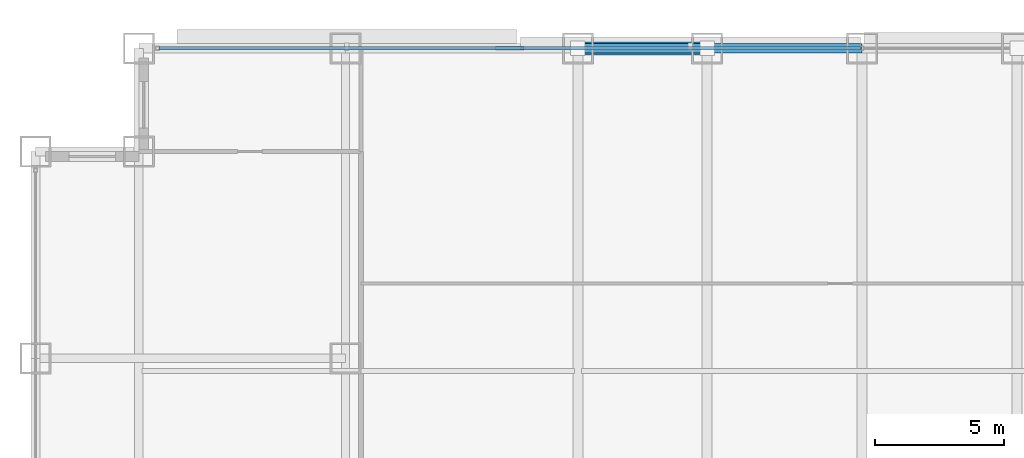
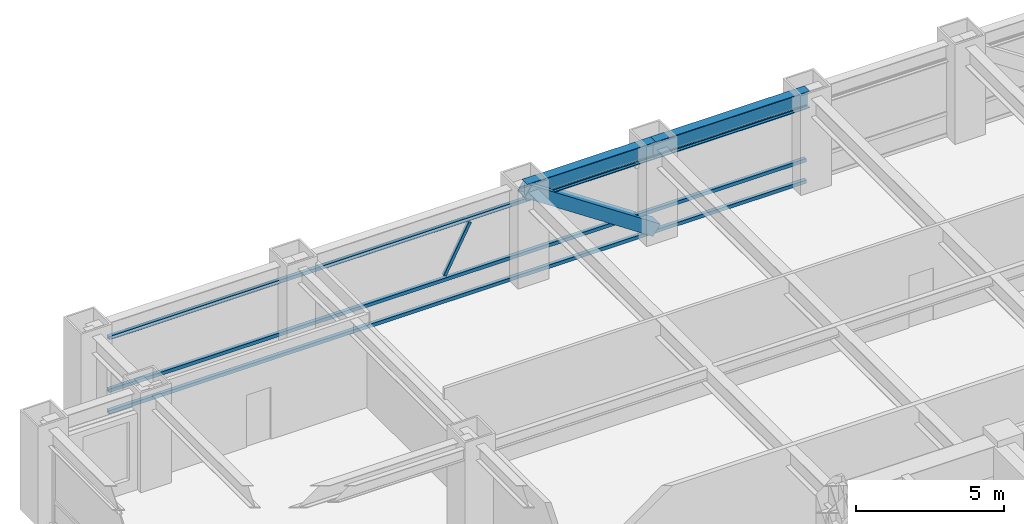
# One storey, part 18 of 32: 5 members, 2 beams, 1 element without a shape of its own.
"""IFC4 building model written with IfcOpenShell, lengths in metres."""

from ifc_helpers import new_model, si_unit, direction, frame, origin, origin_2d, place, context, subcontext, project, spatial, hollow_rectangle, i_section, extrude, source, transform, mapped, material, material_profile, profile_set, type_object, element, aggregate, save


model = new_model("IFC4")

# Units and contexts
model_context = context("Model", 3, precision=1e-05, world=origin(), true_north=direction((0.0, 1.0)))
body_context = subcontext(model_context, "Body", "Model", "MODEL_VIEW")
ifc_project = project(units=[si_unit("LENGTHUNIT", "METRE"), si_unit("AREAUNIT", "SQUARE_METRE"), si_unit("VOLUMEUNIT", "CUBIC_METRE"), si_unit("PLANEANGLEUNIT", "RADIAN"), si_unit("MASSUNIT", "GRAM", prefix="KILO")], contexts=[model_context])

# Site, building, storey
site_placement = place(None, origin())
site = spatial("IfcSite", under=ifc_project, at=site_placement, CompositionType="ELEMENT")
building_placement = place(site_placement, origin())
building = spatial("IfcBuilding", under=site, at=building_placement, Name="Khorayat Bourse Tower", CompositionType="ELEMENT")
storey_placement = place(building_placement, frame((0.0, 0.0, 91.39990234375)))
storey = spatial("IfcBuildingStorey", under=building, at=storey_placement, Name="L20", CompositionType="ELEMENT", Elevation=91.39990234375)

# Beams
ifc_material_1 = material(Name="Steel ASTM A992 Grade 50", Category="steel")
ifc_material_profile_1 = material_profile(ifc_material_1, i_section(OverallWidth=0.35498046875, OverallDepth=0.695068359375, WebThickness=0.015380859375, FlangeThickness=0.02490234375, FilletRadius=0.01806640625, at=origin_2d()), Name="W690X217")
ifc_profile_set_1 = profile_set([ifc_material_profile_1], Name="Steel ASTM A992 Grade 50")
beam_type = type_object("IfcBeamType", Name="BM-SPAN-690", PredefinedType="SPANDREL", material=ifc_profile_set_1)
shared_shape_1 = source(origin(), body_context, "Body", "SweptSolid", [
    extrude(i_section(OverallWidth=0.35498046875, OverallDepth=0.695068359375, WebThickness=0.015380859375, FlangeThickness=0.02490234375, FilletRadius=0.01806640625, at=origin_2d()), origin(), (0.0, 0.0, 1.0), 5.0),
])
beam_1_placement = place(storey_placement, frame((-11.0, 32.0, 3.49267578125), z_axis=(1.0, 0.0, 0.0), x_axis=(0.0, 1.0, 0.0)))
element("IfcBeam", 1, at=beam_1_placement, inside=storey, type_object=beam_type, Name="L20 BM-SPAN-690 BM-L20-SPN-049", PredefinedType="SPANDREL", context=body_context, shape_type="MappedRepresentation", body=[
    mapped(shared_shape_1, transform((0.0, 0.0, 0.0), scale=1.0)),
])
shared_shape_2 = source(origin(), body_context, "Body", "SweptSolid", [
    extrude(i_section(OverallWidth=0.35498046875, OverallDepth=0.695068359375, WebThickness=0.015380859375, FlangeThickness=0.02490234375, FilletRadius=0.01806640625, at=origin_2d()), origin(), (0.0, 0.0, 1.0), 6.0),
])
beam_2_placement = place(storey_placement, frame((-6.0, 32.0, 3.49267578125), z_axis=(1.0, 0.0, 0.0), x_axis=(0.0, 1.0, 0.0)))
element("IfcBeam", 2, at=beam_2_placement, inside=storey, type_object=beam_type, Name="L20 BM-SPAN-690 BM-L20-SPN-048", PredefinedType="SPANDREL", context=body_context, shape_type="MappedRepresentation", body=[
    mapped(shared_shape_2, transform((0.0, 0.0, 0.0), scale=1.0)),
])

# Member
ifc_material_2 = material(Name="Steel EN 10025-4 S460M", Category="steel")
ifc_material_profile_2 = material_profile(ifc_material_2, hollow_rectangle(XDim=0.5, YDim=0.5, WallThickness=0.028076171875, at=origin_2d()), Name="HSS 500x500x28")
ifc_profile_set_2 = profile_set([ifc_material_profile_2], Name="Steel EN 10025-4 S460M")
member_type_1 = type_object("IfcMemberType", Name="MBR-TUBE-500", PredefinedType="BRACE", material=ifc_profile_set_2)
shared_shape_3 = source(origin(), body_context, "Body", "SweptSolid", [
    extrude(hollow_rectangle(XDim=0.5, YDim=0.5, WallThickness=0.028076171875, at=origin_2d()), origin(), (0.0, 0.0, 1.0), 6.012939453125),
])
member_1_placement = place(storey_placement, frame((-11.0, 32.0, 3.590087890625), z_axis=(0.831531473026, 0.0, -0.555477640745), x_axis=(0.0, 1.0, 0.0)))
element("IfcMember", 3, at=member_1_placement, inside=storey, type_object=member_type_1, Name="L20 Perimeter Tube Brace 03", PredefinedType="BRACE", context=body_context, shape_type="MappedRepresentation", body=[
    mapped(shared_shape_3, transform((0.0, 0.0, 0.0), scale=1.0)),
])

# Curtain wall, members
ifc_material_3 = material(Name="Aluminium EN AW-6063 T6", Category="aluminium")
curtain_wall_type = type_object("IfcCurtainWallType", Name="CW-SYS-02", PredefinedType="NOTDEFINED", material=ifc_material_3)
curtain_wall_placement = place(storey_placement, origin())
curtain_wall = element("IfcCurtainWall", 4, at=curtain_wall_placement, inside=storey, type_object=curtain_wall_type, Name="L20 Curtain Wall CW-L20-N1", PredefinedType="NOTDEFINED")
ifc_material_profile_3 = material_profile(ifc_material_3, hollow_rectangle(XDim=0.139892578125, YDim=0.139892578125, WallThickness=0.006103515625, at=origin_2d()), Name="ALU 140x140x6")
ifc_profile_set_3 = profile_set([ifc_material_profile_3], Name="Aluminium EN AW-6063 T6")
member_type_2 = type_object("IfcMemberType", Name="CWT-HORZ-140", PredefinedType="USERDEFINED", material=ifc_profile_set_3)
shared_shape_4 = source(origin(), body_context, "Body", "SweptSolid", [
    extrude(hollow_rectangle(XDim=0.139892578125, YDim=0.139892578125, WallThickness=0.006103515625, at=origin_2d()), origin(), (0.0, 0.0, 1.0), 27.139892578125),
])
member_2_placement = place(storey_placement, frame((-27.2099609375, 32.0, 0.070068359375), z_axis=(1.0, 0.0, 0.0), x_axis=(0.0, 1.0, 0.0)))
member_2 = element("IfcMember", 5, at=member_2_placement, type_object=member_type_2, Name="CW-L20-N1 Horizontal Transom 1-1", ObjectType="TRANSOM", PredefinedType="USERDEFINED", context=body_context, shape_type="MappedRepresentation", body=[
    mapped(shared_shape_4, transform((0.0, 0.0, 0.0), scale=1.0)),
])
member_3_placement = place(storey_placement, frame((-27.2099609375, 32.0, 0.9501953125), z_axis=(1.0, 0.0, 0.0), x_axis=(0.0, 1.0, 0.0)))
member_3 = element("IfcMember", 6, at=member_3_placement, type_object=member_type_2, Name="CW-L20-N1 Horizontal Transom 1-2", ObjectType="TRANSOM", PredefinedType="USERDEFINED", context=body_context, shape_type="MappedRepresentation", body=[
    mapped(shared_shape_4, transform((0.0, 0.0, 0.0), scale=1.0)),
])
member_4_placement = place(storey_placement, frame((-27.2099609375, 32.0, 3.1201171875), z_axis=(1.0, 0.0, 0.0), x_axis=(0.0, 1.0, 0.0)))
member_4 = element("IfcMember", 7, at=member_4_placement, type_object=member_type_2, Name="CW-L20-N1 Horizontal Transom 1-3", ObjectType="TRANSOM", PredefinedType="USERDEFINED", context=body_context, shape_type="MappedRepresentation", body=[
    mapped(shared_shape_4, transform((0.0, 0.0, 0.0), scale=1.0)),
])
ifc_material_profile_4 = material_profile(ifc_material_3, hollow_rectangle(XDim=0.1201171875, YDim=0.1201171875, WallThickness=0.0048828125, at=origin_2d()), Name="ALU 120x120x5")
ifc_profile_set_4 = profile_set([ifc_material_profile_4], Name="Aluminium EN AW-6063 T6")
member_type_3 = type_object("IfcMemberType", Name="CWM-DIAG-120", PredefinedType="MULLION", material=ifc_profile_set_4)
shared_shape_5 = source(origin(), body_context, "Body", "SweptSolid", [
    extrude(hollow_rectangle(XDim=0.1201171875, YDim=0.1201171875, WallThickness=0.0048828125, at=origin_2d()), origin(), (0.0, 0.0, 1.0), 2.11328125),
])
member_5_placement = place(storey_placement, frame((-14.132080078125, 32.0, 1.10009765625), z_axis=(0.465694055905, 0.0, 0.884945787207), x_axis=(0.0, 1.0, 0.0)))
member_5 = element("IfcMember", 8, at=member_5_placement, type_object=member_type_3, Name="CW-L20-N1 Faceted Diagonal Mullion 1", PredefinedType="MULLION", context=body_context, shape_type="MappedRepresentation", body=[
    mapped(shared_shape_5, transform((0.0, 0.0, 0.0), scale=1.0)),
])
aggregate(curtain_wall, [member_2, member_3, member_4, member_5])

save(model, "model.ifc")
